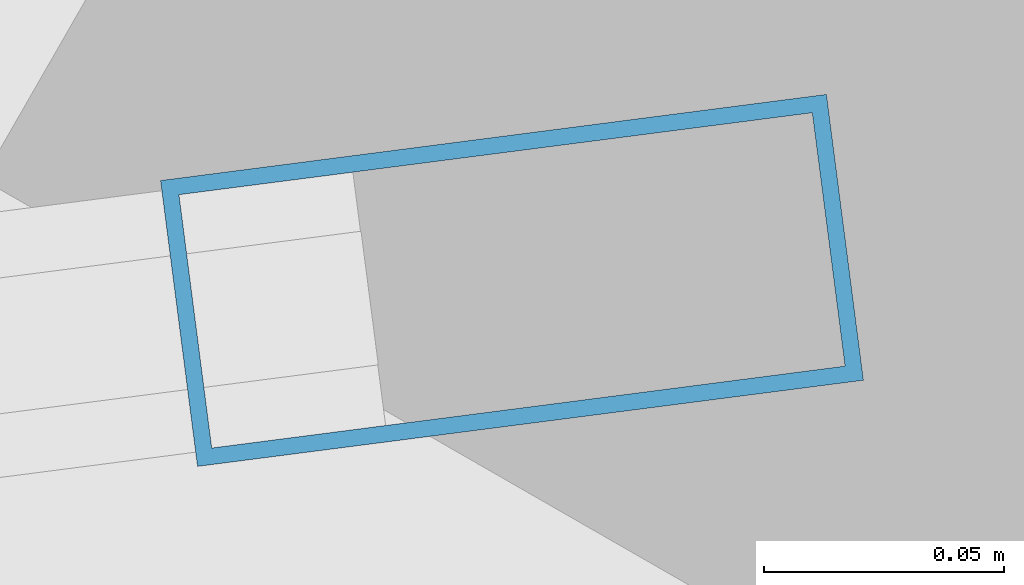
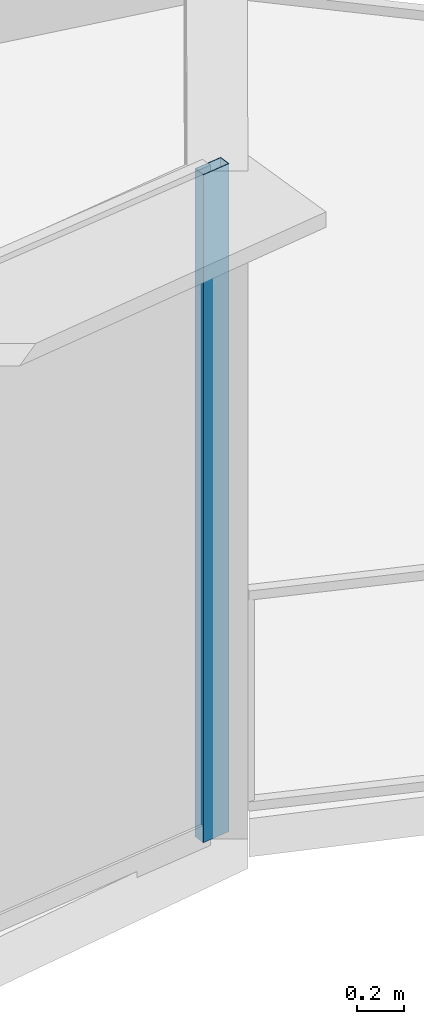
# One storey, part 14 of 33: 1 member, 1 element without a shape of its own.
"""IFC4 building model written with IfcOpenShell, lengths in metres."""

from ifc_helpers import new_model, si_unit, direction, frame, origin, origin_2d, place, context, subcontext, project, spatial, hollow_rectangle, extrude, source, transform, mapped, material, layer, layer_set, material_profile, profile_set, type_object, element, aggregate, save


model = new_model("IFC4")

# Units and contexts
model_context = context("Model", 3, precision=1e-05, world=origin(), true_north=direction((0.0, 1.0)))
body_context = subcontext(model_context, "Body", "Model", "MODEL_VIEW")
ifc_project = project(units=[si_unit("LENGTHUNIT", "METRE"), si_unit("AREAUNIT", "SQUARE_METRE"), si_unit("VOLUMEUNIT", "CUBIC_METRE"), si_unit("PLANEANGLEUNIT", "RADIAN"), si_unit("MASSUNIT", "GRAM", prefix="KILO"), si_unit("THERMODYNAMICTEMPERATUREUNIT", "KELVIN"), si_unit("POWERUNIT", "WATT")], contexts=[model_context])

# Site, building, storey
site_placement = place(None, origin())
site = spatial("IfcSite", under=ifc_project, at=site_placement, CompositionType="ELEMENT")
building_placement = place(site_placement, origin())
building = spatial("IfcBuilding", under=site, at=building_placement, Name="Yunzhuo Pagoda Commons", CompositionType="ELEMENT")
storey_placement = place(building_placement, frame((0.0, 0.0, 329.260009765625)))
storey = spatial("IfcBuildingStorey", under=building, at=storey_placement, Name="L82", CompositionType="ELEMENT", Elevation=329.260009765625)

# Curtain wall, member
ifc_material = material(Name="Anodized aluminium 6063-T6", Category="aluminium")
ifc_layer = layer(ifc_material, 0.139892578125)
ifc_layer_set = layer_set([ifc_layer], Name="Anodized aluminium 6063-T6")
curtain_wall_type = type_object("IfcCurtainWallType", Name="CW-HI High-Zone Ribbon Curtain Wall", PredefinedType="NOTDEFINED", material=ifc_layer_set)
curtain_wall_placement = place(storey_placement, origin())
curtain_wall = element("IfcCurtainWall", 1, at=curtain_wall_placement, inside=storey, type_object=curtain_wall_type, Name="L82 curtain wall CW-L82-F1B5", PredefinedType="NOTDEFINED")
ifc_material_profile = material_profile(ifc_material, hollow_rectangle(XDim=0.06005859375, YDim=0.139892578125, WallThickness=0.00341796875, at=origin_2d()), Name="Anodized aluminium 6063-T6")
ifc_profile_set = profile_set([ifc_material_profile], Name="Anodized aluminium 6063-T6")
member_type = type_object("IfcMemberType", Name="CW-HI-M Mullion RHS 140x60x3.5", PredefinedType="MULLION", material=ifc_profile_set)
shared_shape = source(origin(), body_context, "Body", "SweptSolid", [
    extrude(hollow_rectangle(XDim=0.06005859375, YDim=0.139892578125, WallThickness=0.00341796875, at=origin_2d()), origin(), (0.0, 0.0, 1.0), 3.489990234375),
])
member_placement = place(storey_placement, frame((73.7099609375, 23.134765625, 0.0), z_axis=(0.0, 0.0, 1.0), x_axis=(-0.128276018031, 0.991738505453, 0.0)))
member = element("IfcMember", 2, at=member_placement, type_object=member_type, Name="CW mullion 2", PredefinedType="MULLION", context=body_context, shape_type="MappedRepresentation", body=[
    mapped(shared_shape, transform((0.0, 0.0, 0.0), scale=1.0)),
])
aggregate(curtain_wall, [member])

save(model, "model.ifc")
